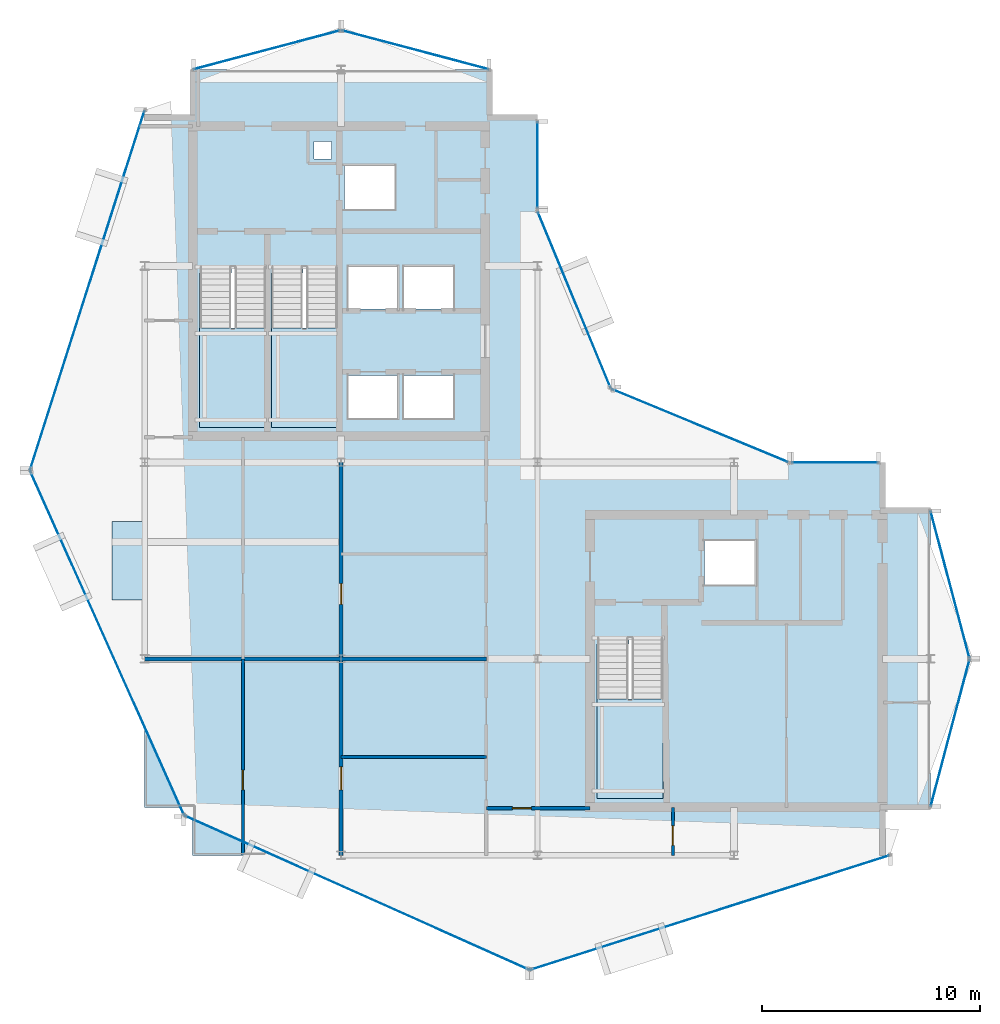
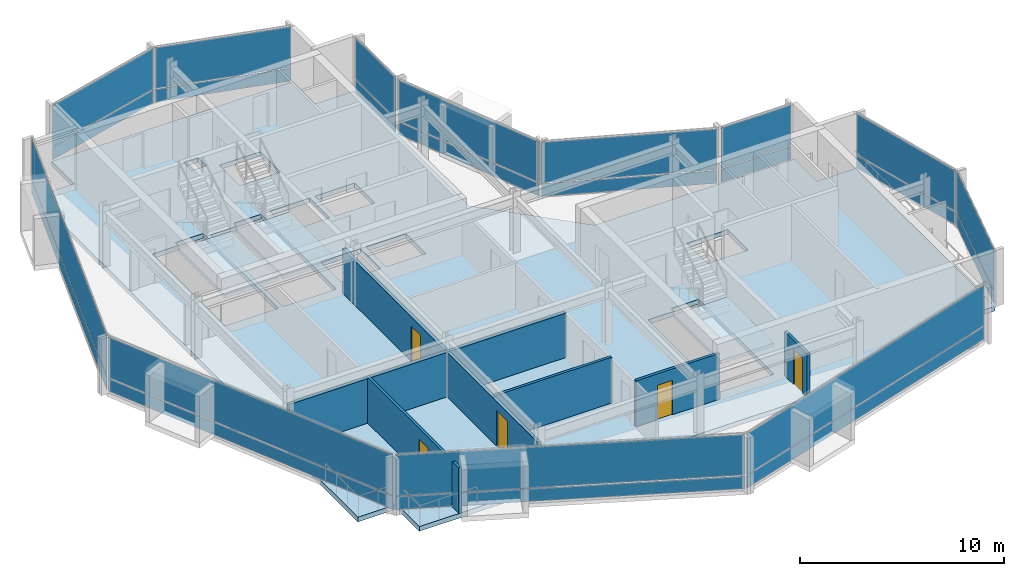
# One storey, part 13 of 19: 24 plates, 6 walls, 5 doors, 5 slabs, 5 openings, 15 elements without a shape of their own.
"""IFC4 building model written with IfcOpenShell, lengths in metres."""

from ifc_helpers import new_model, si_unit, direction, frame, frame_2d, origin, origin_2d, place, context, subcontext, project, spatial, polyline, rectangle, outline, extrude, material, layer, layer_set, type_object, element, fill, aggregate, save


model = new_model("IFC4")

# Units and contexts
model_context = context("Model", 3, precision=1e-05, world=origin(), true_north=direction((0.0, 1.0)))
body_context = subcontext(model_context, "Body", "Model", "MODEL_VIEW")
ifc_project = project(units=[si_unit("LENGTHUNIT", "METRE"), si_unit("AREAUNIT", "SQUARE_METRE"), si_unit("VOLUMEUNIT", "CUBIC_METRE"), si_unit("PLANEANGLEUNIT", "RADIAN"), si_unit("MASSUNIT", "GRAM", prefix="KILO")], contexts=[model_context])

# Site, building, storey
site_placement = place(None, origin())
site = spatial("IfcSite", under=ifc_project, at=site_placement, CompositionType="ELEMENT")
building_placement = place(site_placement, origin())
building = spatial("IfcBuilding", under=site, at=building_placement, Name="Solvaryn Broadcast Tower", CompositionType="ELEMENT")
storey_placement = place(building_placement, frame((0.0, 0.0, 281.5)))
storey = spatial("IfcBuildingStorey", under=building, at=storey_placement, Name="L71", CompositionType="ELEMENT", Elevation=281.5)

# Curtain wall, plates
ifc_material_1 = material(Name="Aluminium and Terracotta Unitised Curtain Wall", Category="masonry")
ifc_layer_1 = layer(ifc_material_1, 0.199951171875)
ifc_layer_set_1 = layer_set([ifc_layer_1], Name="CW-SYS2-LOWMID")
curtain_wall_type = type_object("IfcCurtainWallType", Name="CW-SYS2-LOWMID", PredefinedType="NOTDEFINED", material=ifc_layer_set_1)
curtain_wall_1_placement = place(storey_placement, origin())
curtain_wall_1 = element("IfcCurtainWall", 1, at=curtain_wall_1_placement, inside=storey, type_object=curtain_wall_type, Name="L71 Curtain Wall DR1", PredefinedType="NOTDEFINED")
ifc_material_2 = material(Name="Low-Iron Insulated Vision Glass", Category="glass")
ifc_layer_2 = layer(ifc_material_2, 0.035888671875)
ifc_layer_set_2 = layer_set([ifc_layer_2], Name="CW-PNL-VISION")
plate_type = type_object("IfcPlateType", Name="CW-PNL-VISION", PredefinedType="CURTAIN_PANEL", material=ifc_layer_set_2)
plate_1_placement = place(storey_placement, frame((6.368896484375, 34.892578125, 0.06005859375), z_axis=(0.0, 0.0, 1.0), x_axis=(-0.30361564569, -0.952794594701, 0.0)))
plate_1 = element("IfcPlate", 2, at=plate_1_placement, type_object=plate_type, Name="CWS2 panel 1.1", PredefinedType="CURTAIN_PANEL", context=body_context, shape_type="SweptSolid", body=[
    extrude(rectangle(XDim=17.211181640625, YDim=0.028076171875, at=origin_2d()), origin(), (0.0, 0.0, 1.0), 0.760009765625),
])
plate_2_placement = place(storey_placement, frame((6.368896484375, 34.892578125, 0.8798828125), z_axis=(0.0, 0.0, 1.0), x_axis=(-0.30361564569, -0.952794594701, 0.0)))
plate_2 = element("IfcPlate", 3, at=plate_2_placement, type_object=plate_type, Name="CWS2 panel 1.2", PredefinedType="CURTAIN_PANEL", context=body_context, shape_type="SweptSolid", body=[
    extrude(rectangle(XDim=17.211181640625, YDim=0.028076171875, at=origin_2d()), origin(), (0.0, 0.0, 1.0), 2.429931640625),
])
aggregate(curtain_wall_1, [plate_1, plate_2])

curtain_wall_2_placement = place(storey_placement, origin())
curtain_wall_2 = element("IfcCurtainWall", 4, at=curtain_wall_2_placement, inside=storey, type_object=curtain_wall_type, Name="L71 Curtain Wall DR2", PredefinedType="NOTDEFINED")
plate_3_placement = place(storey_placement, frame((7.277587890625, 18.7265625, 0.06005859375), z_axis=(0.0, 0.0, 1.0), x_axis=(0.408466010682, -0.912773530574, 0.0)))
plate_3 = element("IfcPlate", 5, at=plate_3_placement, type_object=plate_type, Name="CWS2 panel 1.1", PredefinedType="CURTAIN_PANEL", context=body_context, shape_type="SweptSolid", body=[
    extrude(rectangle(XDim=17.210693359375, YDim=0.028076171875, at=origin_2d()), origin(), (0.0, 0.0, 1.0), 0.760009765625),
])
plate_4_placement = place(storey_placement, frame((7.277587890625, 18.7265625, 0.8798828125), z_axis=(0.0, 0.0, 1.0), x_axis=(0.408466010682, -0.912773530574, 0.0)))
plate_4 = element("IfcPlate", 6, at=plate_4_placement, type_object=plate_type, Name="CWS2 panel 1.2", PredefinedType="CURTAIN_PANEL", context=body_context, shape_type="SweptSolid", body=[
    extrude(rectangle(XDim=17.210693359375, YDim=0.028076171875, at=origin_2d()), origin(), (0.0, 0.0, 1.0), 2.429931640625),
])
aggregate(curtain_wall_2, [plate_3, plate_4])

curtain_wall_3_placement = place(storey_placement, origin())
curtain_wall_3 = element("IfcCurtainWall", 7, at=curtain_wall_3_placement, inside=storey, type_object=curtain_wall_type, Name="L71 Curtain Wall DR3", PredefinedType="NOTDEFINED")
plate_5_placement = place(storey_placement, frame((18.7265625, 7.277587890625, 0.06005859375), z_axis=(0.0, 0.0, 1.0), x_axis=(0.912773530574, -0.408466010682, 0.0)))
plate_5 = element("IfcPlate", 8, at=plate_5_placement, type_object=plate_type, Name="CWS2 panel 1.1", PredefinedType="CURTAIN_PANEL", context=body_context, shape_type="SweptSolid", body=[
    extrude(rectangle(XDim=17.210693359375, YDim=0.028076171875, at=origin_2d()), origin(), (0.0, 0.0, 1.0), 0.760009765625),
])
plate_6_placement = place(storey_placement, frame((18.7265625, 7.277587890625, 0.8798828125), z_axis=(0.0, 0.0, 1.0), x_axis=(0.912773530574, -0.408466010682, 0.0)))
plate_6 = element("IfcPlate", 9, at=plate_6_placement, type_object=plate_type, Name="CWS2 panel 1.2", PredefinedType="CURTAIN_PANEL", context=body_context, shape_type="SweptSolid", body=[
    extrude(rectangle(XDim=17.210693359375, YDim=0.028076171875, at=origin_2d()), origin(), (0.0, 0.0, 1.0), 2.429931640625),
])
aggregate(curtain_wall_3, [plate_5, plate_6])

curtain_wall_4_placement = place(storey_placement, origin())
curtain_wall_4 = element("IfcCurtainWall", 10, at=curtain_wall_4_placement, inside=storey, type_object=curtain_wall_type, Name="L71 Curtain Wall DR4", PredefinedType="NOTDEFINED")
plate_7_placement = place(storey_placement, frame((34.892578125, 6.368896484375, 0.06005859375), z_axis=(0.0, 0.0, 1.0), x_axis=(0.952794594701, 0.30361564569, 0.0)))
plate_7 = element("IfcPlate", 11, at=plate_7_placement, type_object=plate_type, Name="CWS2 panel 1.1", PredefinedType="CURTAIN_PANEL", context=body_context, shape_type="SweptSolid", body=[
    extrude(rectangle(XDim=17.211181640625, YDim=0.028076171875, at=origin_2d()), origin(), (0.0, 0.0, 1.0), 0.760009765625),
])
plate_8_placement = place(storey_placement, frame((34.892578125, 6.368896484375, 0.8798828125), z_axis=(0.0, 0.0, 1.0), x_axis=(0.952794594701, 0.30361564569, 0.0)))
plate_8 = element("IfcPlate", 12, at=plate_8_placement, type_object=plate_type, Name="CWS2 panel 1.2", PredefinedType="CURTAIN_PANEL", context=body_context, shape_type="SweptSolid", body=[
    extrude(rectangle(XDim=17.211181640625, YDim=0.028076171875, at=origin_2d()), origin(), (0.0, 0.0, 1.0), 2.429931640625),
])
aggregate(curtain_wall_4, [plate_7, plate_8])

curtain_wall_5_placement = place(storey_placement, origin())
curtain_wall_5 = element("IfcCurtainWall", 13, at=curtain_wall_5_placement, inside=storey, type_object=curtain_wall_type, Name="L71 Curtain Wall IV", PredefinedType="NOTDEFINED")
plate_9_placement = place(storey_placement, frame((27.0, 40.625, 0.06005859375), z_axis=(0.0, 0.0, 1.0), x_axis=(0.0, -1.0, 0.0)))
plate_9 = element("IfcPlate", 14, at=plate_9_placement, type_object=plate_type, Name="CWS2 panel 1.1", PredefinedType="CURTAIN_PANEL", context=body_context, shape_type="SweptSolid", body=[
    extrude(rectangle(XDim=3.929931640625, YDim=0.028076171875, at=origin_2d()), origin(), (0.0, 0.0, 1.0), 0.760009765625),
])
plate_10_placement = place(storey_placement, frame((27.0, 40.625, 0.8798828125), z_axis=(0.0, 0.0, 1.0), x_axis=(0.0, -1.0, 0.0)))
plate_10 = element("IfcPlate", 15, at=plate_10_placement, type_object=plate_type, Name="CWS2 panel 1.2", PredefinedType="CURTAIN_PANEL", context=body_context, shape_type="SweptSolid", body=[
    extrude(rectangle(XDim=3.929931640625, YDim=0.028076171875, at=origin_2d()), origin(), (0.0, 0.0, 1.0), 2.429931640625),
])
aggregate(curtain_wall_5, [plate_9, plate_10])

curtain_wall_6_placement = place(storey_placement, origin())
curtain_wall_6 = element("IfcCurtainWall", 16, at=curtain_wall_6_placement, inside=storey, type_object=curtain_wall_type, Name="L71 Curtain Wall CN1", PredefinedType="NOTDEFINED")
plate_11_placement = place(storey_placement, frame((34.43408203125, 28.68408203125, 0.06005859375), z_axis=(0.0, 0.0, 1.0), x_axis=(-0.923894983957, 0.382646127145, 0.0)))
plate_11 = element("IfcPlate", 17, at=plate_11_placement, type_object=plate_type, Name="CWS2 panel 1.1", PredefinedType="CURTAIN_PANEL", context=body_context, shape_type="SweptSolid", body=[
    extrude(rectangle(XDim=8.681884765625, YDim=0.028076171875, at=origin_2d()), origin(), (0.0, 0.0, 1.0), 0.760009765625),
])
plate_12_placement = place(storey_placement, frame((34.43408203125, 28.68408203125, 0.8798828125), z_axis=(0.0, 0.0, 1.0), x_axis=(-0.923894983957, 0.382646127145, 0.0)))
plate_12 = element("IfcPlate", 18, at=plate_12_placement, type_object=plate_type, Name="CWS2 panel 1.2", PredefinedType="CURTAIN_PANEL", context=body_context, shape_type="SweptSolid", body=[
    extrude(rectangle(XDim=8.681884765625, YDim=0.028076171875, at=origin_2d()), origin(), (0.0, 0.0, 1.0), 2.429931640625),
])
aggregate(curtain_wall_6, [plate_11, plate_12])

curtain_wall_7_placement = place(storey_placement, origin())
curtain_wall_7 = element("IfcCurtainWall", 19, at=curtain_wall_7_placement, inside=storey, type_object=curtain_wall_type, Name="L71 Curtain Wall CN2", PredefinedType="NOTDEFINED")
plate_13_placement = place(storey_placement, frame((28.68408203125, 34.43408203125, 0.06005859375), z_axis=(0.0, 0.0, 1.0), x_axis=(-0.382646127145, 0.923894983957, 0.0)))
plate_13 = element("IfcPlate", 20, at=plate_13_placement, type_object=plate_type, Name="CWS2 panel 1.1", PredefinedType="CURTAIN_PANEL", context=body_context, shape_type="SweptSolid", body=[
    extrude(rectangle(XDim=8.681884765625, YDim=0.028076171875, at=origin_2d()), origin(), (0.0, 0.0, 1.0), 0.760009765625),
])
plate_14_placement = place(storey_placement, frame((28.68408203125, 34.43408203125, 0.8798828125), z_axis=(0.0, 0.0, 1.0), x_axis=(-0.382646127145, 0.923894983957, 0.0)))
plate_14 = element("IfcPlate", 21, at=plate_14_placement, type_object=plate_type, Name="CWS2 panel 1.2", PredefinedType="CURTAIN_PANEL", context=body_context, shape_type="SweptSolid", body=[
    extrude(rectangle(XDim=8.681884765625, YDim=0.028076171875, at=origin_2d()), origin(), (0.0, 0.0, 1.0), 2.429931640625),
])
aggregate(curtain_wall_7, [plate_13, plate_14])

curtain_wall_8_placement = place(storey_placement, origin())
curtain_wall_8 = element("IfcCurtainWall", 22, at=curtain_wall_8_placement, inside=storey, type_object=curtain_wall_type, Name="L71 Curtain Wall NT1", PredefinedType="NOTDEFINED")
plate_15_placement = place(storey_placement, frame((21.39990234375, 45.89990234375, 0.06005859375), z_axis=(0.0, 0.0, 1.0), x_axis=(-0.966705227863, 0.25589256031, 0.0)))
plate_15 = element("IfcPlate", 23, at=plate_15_placement, type_object=plate_type, Name="CWS2 panel 1.1", PredefinedType="CURTAIN_PANEL", context=body_context, shape_type="SweptSolid", body=[
    extrude(rectangle(XDim=6.914306640625, YDim=0.028076171875, at=origin_2d()), origin(), (0.0, 0.0, 1.0), 0.760009765625),
])
plate_16_placement = place(storey_placement, frame((21.39990234375, 45.89990234375, 0.8798828125), z_axis=(0.0, 0.0, 1.0), x_axis=(-0.966705227863, 0.25589256031, 0.0)))
plate_16 = element("IfcPlate", 24, at=plate_16_placement, type_object=plate_type, Name="CWS2 panel 1.2", PredefinedType="CURTAIN_PANEL", context=body_context, shape_type="SweptSolid", body=[
    extrude(rectangle(XDim=6.914306640625, YDim=0.028076171875, at=origin_2d()), origin(), (0.0, 0.0, 1.0), 2.429931640625),
])
aggregate(curtain_wall_8, [plate_15, plate_16])

curtain_wall_9_placement = place(storey_placement, origin())
curtain_wall_9 = element("IfcCurtainWall", 25, at=curtain_wall_9_placement, inside=storey, type_object=curtain_wall_type, Name="L71 Curtain Wall NT2", PredefinedType="NOTDEFINED")
plate_17_placement = place(storey_placement, frame((14.60009765625, 45.89990234375, 0.06005859375), z_axis=(0.0, 0.0, 1.0), x_axis=(-0.966705227863, -0.25589256031, 0.0)))
plate_17 = element("IfcPlate", 26, at=plate_17_placement, type_object=plate_type, Name="CWS2 panel 1.1", PredefinedType="CURTAIN_PANEL", context=body_context, shape_type="SweptSolid", body=[
    extrude(rectangle(XDim=6.914306640625, YDim=0.028076171875, at=origin_2d()), origin(), (0.0, 0.0, 1.0), 0.760009765625),
])
plate_18_placement = place(storey_placement, frame((14.60009765625, 45.89990234375, 0.8798828125), z_axis=(0.0, 0.0, 1.0), x_axis=(-0.966705227863, -0.25589256031, 0.0)))
plate_18 = element("IfcPlate", 27, at=plate_18_placement, type_object=plate_type, Name="CWS2 panel 1.2", PredefinedType="CURTAIN_PANEL", context=body_context, shape_type="SweptSolid", body=[
    extrude(rectangle(XDim=6.914306640625, YDim=0.028076171875, at=origin_2d()), origin(), (0.0, 0.0, 1.0), 2.429931640625),
])
aggregate(curtain_wall_9, [plate_17, plate_18])

curtain_wall_10_placement = place(storey_placement, origin())
curtain_wall_10 = element("IfcCurtainWall", 28, at=curtain_wall_10_placement, inside=storey, type_object=curtain_wall_type, Name="L71 Curtain Wall ET1", PredefinedType="NOTDEFINED")
plate_19_placement = place(storey_placement, frame((45.89990234375, 21.39990234375, 0.06005859375), z_axis=(0.0, 0.0, 1.0), x_axis=(0.25589256031, -0.966705227863, 0.0)))
plate_19 = element("IfcPlate", 29, at=plate_19_placement, type_object=plate_type, Name="CWS2 panel 1.1", PredefinedType="CURTAIN_PANEL", context=body_context, shape_type="SweptSolid", body=[
    extrude(rectangle(XDim=6.914306640625, YDim=0.028076171875, at=origin_2d()), origin(), (0.0, 0.0, 1.0), 0.760009765625),
])
plate_20_placement = place(storey_placement, frame((45.89990234375, 21.39990234375, 0.8798828125), z_axis=(0.0, 0.0, 1.0), x_axis=(0.25589256031, -0.966705227863, 0.0)))
plate_20 = element("IfcPlate", 30, at=plate_20_placement, type_object=plate_type, Name="CWS2 panel 1.2", PredefinedType="CURTAIN_PANEL", context=body_context, shape_type="SweptSolid", body=[
    extrude(rectangle(XDim=6.914306640625, YDim=0.028076171875, at=origin_2d()), origin(), (0.0, 0.0, 1.0), 2.429931640625),
])
aggregate(curtain_wall_10, [plate_19, plate_20])

curtain_wall_11_placement = place(storey_placement, origin())
curtain_wall_11 = element("IfcCurtainWall", 31, at=curtain_wall_11_placement, inside=storey, type_object=curtain_wall_type, Name="L71 Curtain Wall ET2", PredefinedType="NOTDEFINED")
plate_21_placement = place(storey_placement, frame((45.89990234375, 14.60009765625, 0.06005859375), z_axis=(0.0, 0.0, 1.0), x_axis=(-0.25589256031, -0.966705227863, 0.0)))
plate_21 = element("IfcPlate", 32, at=plate_21_placement, type_object=plate_type, Name="CWS2 panel 1.1", PredefinedType="CURTAIN_PANEL", context=body_context, shape_type="SweptSolid", body=[
    extrude(rectangle(XDim=6.914306640625, YDim=0.028076171875, at=origin_2d()), origin(), (0.0, 0.0, 1.0), 0.760009765625),
])
plate_22_placement = place(storey_placement, frame((45.89990234375, 14.60009765625, 0.8798828125), z_axis=(0.0, 0.0, 1.0), x_axis=(-0.25589256031, -0.966705227863, 0.0)))
plate_22 = element("IfcPlate", 33, at=plate_22_placement, type_object=plate_type, Name="CWS2 panel 1.2", PredefinedType="CURTAIN_PANEL", context=body_context, shape_type="SweptSolid", body=[
    extrude(rectangle(XDim=6.914306640625, YDim=0.028076171875, at=origin_2d()), origin(), (0.0, 0.0, 1.0), 2.429931640625),
])
aggregate(curtain_wall_11, [plate_21, plate_22])

curtain_wall_12_placement = place(storey_placement, origin())
curtain_wall_12 = element("IfcCurtainWall", 34, at=curtain_wall_12_placement, inside=storey, type_object=curtain_wall_type, Name="L71 Curtain Wall IH", PredefinedType="NOTDEFINED")
plate_23_placement = place(storey_placement, frame((40.625, 27.0, 0.06005859375), z_axis=(0.0, 0.0, 1.0), x_axis=(1.0, 0.0, 0.0)))
plate_23 = element("IfcPlate", 35, at=plate_23_placement, type_object=plate_type, Name="CWS2 panel 1.1", PredefinedType="CURTAIN_PANEL", context=body_context, shape_type="SweptSolid", body=[
    extrude(rectangle(XDim=3.929931640625, YDim=0.028076171875, at=origin_2d()), origin(), (0.0, 0.0, 1.0), 0.760009765625),
])
plate_24_placement = place(storey_placement, frame((40.625, 27.0, 0.8798828125), z_axis=(0.0, 0.0, 1.0), x_axis=(1.0, 0.0, 0.0)))
plate_24 = element("IfcPlate", 36, at=plate_24_placement, type_object=plate_type, Name="CWS2 panel 1.2", PredefinedType="CURTAIN_PANEL", context=body_context, shape_type="SweptSolid", body=[
    extrude(rectangle(XDim=3.929931640625, YDim=0.028076171875, at=origin_2d()), origin(), (0.0, 0.0, 1.0), 2.429931640625),
])
aggregate(curtain_wall_12, [plate_23, plate_24])

# Slab
ifc_material_3 = material(Name="Concrete f'c 60 MPa", Category="concrete")
ifc_layer_3 = layer(ifc_material_3, 0.2099609375)
ifc_layer_set_3 = layer_set([ifc_layer_3], Name="SL-BAYBOX-210")
slab_type_1 = type_object("IfcSlabType", Name="SL-BAYBOX-210", PredefinedType="FLOOR", material=ifc_layer_set_3)
slab_1_placement = place(storey_placement, frame((0.0, 0.0, -0.2099609375)))
element("IfcSlab", 37, at=slab_1_placement, inside=storey, type_object=slab_type_1, Name="L71 Projecting Bay-Box Slab 1", PredefinedType="FLOOR", context=body_context, shape_type="SweptSolid", body=[
    extrude(outline(polyline([(7.5, 20.699951171875), (9.0, 20.699951171875), (9.0, 24.300048828125), (7.5, 24.300048828125), (7.5, 20.699951171875)])), origin(), (0.0, 0.0, 1.0), 0.2099609375),
])

# Stair, slab
ifc_material_4 = material(Name="Concrete f'c 60 MPa", Category="concrete")
stair_type = type_object("IfcStairType", Name="ST-CORE", PredefinedType="HALF_TURN_STAIR", material=ifc_material_4)
stair_1_placement = place(storey_placement, origin())
stair_1 = element("IfcStair", 38, at=stair_1_placement, inside=storey, type_object=stair_type, Name="L71 ST1", PredefinedType="HALF_TURN_STAIR")
ifc_material_5 = material(Name="Concrete f'c 60 MPa", Category="concrete")
ifc_layer_4 = layer(ifc_material_5, 0.199951171875)
ifc_layer_set_4 = layer_set([ifc_layer_4], Name="SL-LANDING-200")
slab_type_2 = type_object("IfcSlabType", Name="SL-LANDING-200", PredefinedType="LANDING", material=ifc_layer_set_4)
slab_2_placement = place(storey_placement, frame((0.0, 0.0, 1.64990234375)))
slab_2 = element("IfcSlab", 39, at=slab_2_placement, type_object=slab_type_2, Name="ST1 landing 1", PredefinedType="LANDING", context=body_context, shape_type="SweptSolid", body=[
    extrude(outline(polyline([(11.52001953125, 33.159912109375), (11.52001953125, 28.60009765625), (14.550048828125, 28.60009765625), (14.550048828125, 33.159912109375), (11.52001953125, 33.159912109375)])), origin(), (0.0, 0.0, 1.0), 0.2001953125),
])
aggregate(stair_1, [slab_2])

stair_2_placement = place(storey_placement, origin())
stair_2 = element("IfcStair", 40, at=stair_2_placement, inside=storey, type_object=stair_type, Name="L71 ST2", PredefinedType="HALF_TURN_STAIR")
slab_3_placement = place(storey_placement, frame((0.0, 0.0, 1.64990234375)))
slab_3 = element("IfcSlab", 41, at=slab_3_placement, type_object=slab_type_2, Name="ST2 landing 1", PredefinedType="LANDING", context=body_context, shape_type="SweptSolid", body=[
    extrude(outline(polyline([(14.800048828125, 33.159912109375), (14.800048828125, 28.60009765625), (17.830078125, 28.60009765625), (17.830078125, 33.159912109375), (14.800048828125, 33.159912109375)])), origin(), (0.0, 0.0, 1.0), 0.2001953125),
])
aggregate(stair_2, [slab_3])

stair_3_placement = place(storey_placement, origin())
stair_3 = element("IfcStair", 42, at=stair_3_placement, inside=storey, type_object=stair_type, Name="L71 ST3", PredefinedType="HALF_TURN_STAIR")
slab_4_placement = place(storey_placement, frame((0.0, 0.0, 1.64990234375)))
slab_4 = element("IfcSlab", 43, at=slab_4_placement, type_object=slab_type_2, Name="ST3 landing 1", PredefinedType="LANDING", context=body_context, shape_type="SweptSolid", body=[
    extrude(outline(polyline([(29.719970703125, 16.159912109375), (29.719970703125, 11.60009765625), (32.75, 11.60009765625), (32.75, 16.159912109375), (29.719970703125, 16.159912109375)])), origin(), (0.0, 0.0, 1.0), 0.2001953125),
])
aggregate(stair_3, [slab_4])

# Slab
ifc_material_6 = material(Name="Concrete f'c 60 MPa", Category="concrete")
ifc_layer_5 = layer(ifc_material_6, 0.280029296875)
ifc_layer_set_5 = layer_set([ifc_layer_5], Name="SL-TWR-280")
slab_type_3 = type_object("IfcSlabType", Name="SL-TWR-280", PredefinedType="FLOOR", material=ifc_layer_set_5)
slab_5_placement = place(storey_placement, frame((0.0, 0.0, -0.280029296875)))
element("IfcSlab", 44, at=slab_5_placement, inside=storey, type_object=slab_type_3, Name="L71 Structural Floor Slab", PredefinedType="FLOOR", context=body_context, shape_type="SweptSolid", body=[
    extrude(outline(polyline([(11.199951171875, 9.0), (42.800048828125, 9.0), (42.800048828125, 11.199951171875), (45.0, 11.199951171875), (45.0, 24.800048828125), (42.800048828125, 24.800048828125), (42.800048828125, 27.0), (31.5, 27.0), (27.0, 31.5), (27.0, 42.800048828125), (24.800048828125, 42.800048828125), (24.800048828125, 45.0), (11.199951171875, 45.0), (11.199951171875, 42.800048828125), (9.0, 42.800048828125), (9.0, 11.199951171875), (11.199951171875, 11.199951171875), (11.199951171875, 9.0)]), holes=[polyline([(11.52001953125, 28.60009765625), (14.550048828125, 28.60009765625), (14.550048828125, 35.9599609375), (12.97998046875, 35.9599609375), (12.97998046875, 35.679931640625), (11.52001953125, 35.679931640625), (11.52001953125, 28.60009765625)]), polyline([(14.800048828125, 28.60009765625), (17.830078125, 28.60009765625), (17.830078125, 35.9599609375), (16.260009765625, 35.9599609375), (16.260009765625, 35.679931640625), (14.800048828125, 35.679931640625), (14.800048828125, 28.60009765625)]), polyline([(29.719970703125, 11.60009765625), (32.75, 11.60009765625), (32.75, 18.9599609375), (31.179931640625, 18.9599609375), (31.179931640625, 18.679931640625), (29.719970703125, 18.679931640625), (29.719970703125, 11.60009765625)]), polyline([(18.14990234375, 38.60009765625), (20.449951171875, 38.60009765625), (20.449951171875, 40.60009765625), (18.14990234375, 40.60009765625), (18.14990234375, 38.60009765625)]), polyline([(18.324951171875, 29.02490234375), (20.574951171875, 29.02490234375), (20.574951171875, 30.97509765625), (18.324951171875, 30.97509765625), (18.324951171875, 29.02490234375)]), polyline([(20.875, 29.02490234375), (23.125, 29.02490234375), (23.125, 30.97509765625), (20.875, 30.97509765625), (20.875, 29.02490234375)]), polyline([(18.324951171875, 34.02490234375), (20.574951171875, 34.02490234375), (20.574951171875, 35.97509765625), (18.324951171875, 35.97509765625), (18.324951171875, 34.02490234375)]), polyline([(20.875, 34.02490234375), (23.125, 34.02490234375), (23.125, 35.97509765625), (20.875, 35.97509765625), (20.875, 34.02490234375)]), polyline([(34.64990234375, 21.39990234375), (36.949951171875, 21.39990234375), (36.949951171875, 23.39990234375), (34.64990234375, 23.39990234375), (34.64990234375, 21.39990234375)]), polyline([(16.75, 40.89990234375), (17.550048828125, 40.89990234375), (17.550048828125, 41.699951171875), (16.75, 41.699951171875), (16.75, 40.89990234375)])]), origin(), (0.0, 0.0, 1.0), 0.280029296875),
])

# Wall, opening, door
ifc_material_7 = material(Name="Metal-Stud Service Core Partition")
ifc_layer_6 = layer(ifc_material_7, 0.14990234375)
ifc_layer_set_6 = layer_set([ifc_layer_6], Name="IW-PART-150")
wall_type_1 = type_object("IfcWallType", Name="IW-PART-150", PredefinedType="PARTITIONING", material=ifc_layer_set_6)
wall_1_placement = place(storey_placement, frame((13.5, 9.0, 0.0), z_axis=(0.0, 0.0, 1.0), x_axis=(0.0, 1.0, 0.0)))
wall_1 = element("IfcWall", 45, at=wall_1_placement, inside=storey, type_object=wall_type_1, Name="L71 Interior Partition IW-L71-SW-C2", PredefinedType="PARTITIONING", context=body_context, shape_type="SweptSolid", body=[
    extrude(rectangle(XDim=9.0, YDim=0.14990234375, at=frame_2d((4.5, 0.0))), origin(), (0.0, 0.0, 1.0), 2.739013671875),
])
opening_1_placement = place(wall_1_placement, frame((3.0, 0.0, 0.0)))
opening_1 = element("IfcOpeningElement", 46, at=opening_1_placement, cuts=wall_1, Name="Opening FD60C", PredefinedType="OPENING", context=body_context, shape_type="SweptSolid", body=[
    extrude(rectangle(XDim=0.89990234375, YDim=2.10009765625, at=frame_2d((0.449951171875, 1.050048828125))), frame((0.0, 0.0849609375, 0.0), z_axis=(0.0, -1.0, 0.0), x_axis=(1.0, 0.0, 0.0)), (0.0, 0.0, 1.0), 0.169921875),
])
ifc_material_8 = material(Name="Flush Acoustic Steel and Timber Door Assembly", Category="steel")
door_type_1 = type_object("IfcDoorType", Name="FD60-SERV-900X2100", OperationType="NOTDEFINED", PredefinedType="DOOR", material=ifc_material_8)
door_1_placement = place(opening_1_placement, origin())
door_1 = element("IfcDoor", 47, at=door_1_placement, inside=storey, type_object=door_type_1, Name="L71 Door DR-L71-SWQ-8", OperationType="SINGLE_SWING_LEFT", OverallHeight=2.10009765625, OverallWidth=0.89990234375, PredefinedType="DOOR", context=body_context, shape_type="SweptSolid", body=[
    extrude(rectangle(XDim=0.89990234375, YDim=2.10009765625, at=frame_2d((0.449951171875, 1.050048828125))), frame((0.0, 0.02490234375, 0.0), z_axis=(0.0, -1.0, 0.0), x_axis=(1.0, 0.0, 0.0)), (0.0, 0.0, 1.0), 0.050048828125),
])
fill(opening_1, door_1)

# Wall
wall_2_placement = place(storey_placement, frame((18.0, 13.5, 0.0), z_axis=(0.0, 0.0, 1.0), x_axis=(1.0, 0.0, 0.0)))
element("IfcWall", 48, at=wall_2_placement, inside=storey, type_object=wall_type_1, Name="L71 Interior Partition IW-L71-SW-C4", PredefinedType="PARTITIONING", context=body_context, shape_type="SweptSolid", body=[
    extrude(rectangle(XDim=6.64990234375, YDim=0.14990234375, at=frame_2d((3.324951171875, 0.0))), origin(), (0.0, 0.0, 1.0), 2.741943359375),
])

# Wall, opening, door
wall_3_placement = place(storey_placement, frame((33.199951171875, 9.0, 0.0), z_axis=(0.0, 0.0, 1.0), x_axis=(0.0, 1.0, 0.0)))
wall_3 = element("IfcWall", 49, at=wall_3_placement, inside=storey, type_object=wall_type_1, Name="L71 Interior Partition IW-L71-SC-V", PredefinedType="PARTITIONING", context=body_context, shape_type="SweptSolid", body=[
    extrude(rectangle(XDim=2.199951171875, YDim=0.14990234375, at=frame_2d((1.10009765625, 0.0))), origin(), (0.0, 0.0, 1.0), 2.656982421875),
])
opening_2_placement = place(wall_3_placement, frame((0.449951171875, 0.0, 0.0)))
opening_2 = element("IfcOpeningElement", 50, at=opening_2_placement, cuts=wall_3, Name="Opening FD60C", PredefinedType="OPENING", context=body_context, shape_type="SweptSolid", body=[
    extrude(rectangle(XDim=0.89990234375, YDim=2.10009765625, at=frame_2d((0.449951171875, 1.050048828125))), frame((0.0, 0.0849609375, 0.0), z_axis=(0.0, -1.0, 0.0), x_axis=(1.0, 0.0, 0.0)), (0.0, 0.0, 1.0), 0.169921875),
])
door_2_placement = place(opening_2_placement, origin())
door_2 = element("IfcDoor", 51, at=door_2_placement, inside=storey, type_object=door_type_1, Name="L71 Door DR-L71-SC1", OperationType="SINGLE_SWING_LEFT", OverallHeight=2.10009765625, OverallWidth=0.89990234375, PredefinedType="DOOR", context=body_context, shape_type="SweptSolid", body=[
    extrude(rectangle(XDim=0.89990234375, YDim=2.10009765625, at=frame_2d((0.449951171875, 1.050048828125))), frame((0.0, 0.02490234375, 0.0), z_axis=(0.0, -1.0, 0.0), x_axis=(1.0, 0.0, 0.0)), (0.0, 0.0, 1.0), 0.050048828125),
])
fill(opening_2, door_2)

ifc_material_9 = material(Name="Metal-Stud Gypsum Office Partition")
ifc_layer_7 = layer(ifc_material_9, 0.159912109375)
ifc_layer_set_7 = layer_set([ifc_layer_7], Name="IW-PART-160")
wall_type_2 = type_object("IfcWallType", Name="IW-PART-160", PredefinedType="PARTITIONING", material=ifc_layer_set_7)
wall_4_placement = place(storey_placement, frame((24.64990234375, 11.14990234375, 0.0), z_axis=(0.0, 0.0, 1.0), x_axis=(1.0, 0.0, 0.0)))
wall_4 = element("IfcWall", 52, at=wall_4_placement, inside=storey, type_object=wall_type_2, Name="L71 Interior Partition IW-L71-SC-N", PredefinedType="PARTITIONING", context=body_context, shape_type="SweptSolid", body=[
    extrude(rectangle(XDim=4.75, YDim=0.159912109375, at=frame_2d((2.375, 0.0))), origin(), (0.0, 0.0, 1.0), 2.741943359375),
])
opening_3_placement = place(wall_4_placement, frame((1.199951171875, 0.0, 0.0)))
opening_3 = element("IfcOpeningElement", 53, at=opening_3_placement, cuts=wall_4, Name="Opening ID07", PredefinedType="OPENING", context=body_context, shape_type="SweptSolid", body=[
    extrude(rectangle(XDim=0.860107421875, YDim=2.050048828125, at=frame_2d((0.43017578125, 1.02490234375))), frame((0.0, 0.090087890625, 0.0), z_axis=(0.0, -1.0, 0.0), x_axis=(1.0, 0.0, 0.0)), (0.0, 0.0, 1.0), 0.179931640625),
])
ifc_material_10 = material(Name="Flush Acoustic Steel and Timber Door Assembly", Category="steel")
door_type_2 = type_object("IfcDoorType", Name="ID-07-860X2050", OperationType="NOTDEFINED", PredefinedType="DOOR", material=ifc_material_10)
door_3_placement = place(opening_3_placement, origin())
door_3 = element("IfcDoor", 54, at=door_3_placement, inside=storey, type_object=door_type_2, Name="L71 Door DR-L71-SC0", OperationType="SINGLE_SWING_RIGHT", OverallHeight=2.050048828125, OverallWidth=0.860107421875, PredefinedType="DOOR", context=body_context, shape_type="SweptSolid", body=[
    extrude(rectangle(XDim=0.860107421875, YDim=2.050048828125, at=frame_2d((0.43017578125, 1.02490234375))), frame((0.0, 0.02490234375, 0.0), z_axis=(0.0, -1.0, 0.0), x_axis=(1.0, 0.0, 0.0)), (0.0, 0.0, 1.0), 0.050048828125),
])
fill(opening_3, door_3)

# Wall
ifc_material_11 = material(Name="Acoustic Metal-Stud Gypsum Partition")
ifc_layer_8 = layer(ifc_material_11, 0.179931640625)
ifc_layer_set_8 = layer_set([ifc_layer_8], Name="IW-PART-180")
wall_type_3 = type_object("IfcWallType", Name="IW-PART-180", PredefinedType="PARTITIONING", material=ifc_layer_set_8)
wall_5_placement = place(storey_placement, frame((9.0, 18.0, 0.0), z_axis=(0.0, 0.0, 1.0), x_axis=(1.0, 0.0, 0.0)))
element("IfcWall", 55, at=wall_5_placement, inside=storey, type_object=wall_type_3, Name="L71 Interior Partition IW-L71-SW-CH", PredefinedType="PARTITIONING", context=body_context, shape_type="SweptSolid", body=[
    extrude(rectangle(XDim=15.64990234375, YDim=0.179931640625, at=frame_2d((7.824951171875, 0.0))), origin(), (0.0, 0.0, 1.0), 2.656982421875),
])

# Wall, openings, doors
wall_6_placement = place(storey_placement, frame((18.0, 9.0, 0.0), z_axis=(0.0, 0.0, 1.0), x_axis=(0.0, 1.0, 0.0)))
wall_6 = element("IfcWall", 56, at=wall_6_placement, inside=storey, type_object=wall_type_3, Name="L71 Interior Partition IW-L71-SW-CV", PredefinedType="PARTITIONING", context=body_context, shape_type="SweptSolid", body=[
    extrude(rectangle(XDim=19.1298828125, YDim=0.179931640625, at=frame_2d((9.56494140625, 0.0))), origin(), (0.0, 0.0, 1.0), 2.656982421875),
])
opening_4_placement = place(wall_6_placement, frame((11.5, 0.0, 0.0)))
opening_4 = element("IfcOpeningElement", 57, at=opening_4_placement, cuts=wall_6, Name="Opening ID01", PredefinedType="OPENING", context=body_context, shape_type="SweptSolid", body=[
    extrude(rectangle(XDim=0.949951171875, YDim=2.10009765625, at=frame_2d((0.47509765625, 1.050048828125))), frame((0.0, 0.099853515625, 0.0), z_axis=(0.0, -1.0, 0.0), x_axis=(1.0, 0.0, 0.0)), (0.0, 0.0, 1.0), 0.199951171875),
])
opening_5_placement = place(wall_6_placement, frame((3.0, 0.0, 0.0)))
opening_5 = element("IfcOpeningElement", 58, at=opening_5_placement, cuts=wall_6, Name="Opening ID03", PredefinedType="OPENING", context=body_context, shape_type="SweptSolid", body=[
    extrude(rectangle(XDim=1.050048828125, YDim=2.14990234375, at=frame_2d((0.52490234375, 1.074951171875))), frame((0.0, 0.099853515625, 0.0), z_axis=(0.0, -1.0, 0.0), x_axis=(1.0, 0.0, 0.0)), (0.0, 0.0, 1.0), 0.199951171875),
])
ifc_material_12 = material(Name="Flush Acoustic Steel and Timber Door Assembly", Category="steel")
door_type_3 = type_object("IfcDoorType", Name="ID-01-950X2100", OperationType="NOTDEFINED", PredefinedType="DOOR", material=ifc_material_12)
door_4_placement = place(opening_4_placement, origin())
door_4 = element("IfcDoor", 59, at=door_4_placement, inside=storey, type_object=door_type_3, Name="L71 Door DR-L71-SWQ-5", OperationType="SINGLE_SWING_RIGHT", OverallHeight=2.10009765625, OverallWidth=0.949951171875, PredefinedType="DOOR", context=body_context, shape_type="SweptSolid", body=[
    extrude(rectangle(XDim=0.949951171875, YDim=2.10009765625, at=frame_2d((0.47509765625, 1.050048828125))), frame((0.0, 0.02490234375, 0.0), z_axis=(0.0, -1.0, 0.0), x_axis=(1.0, 0.0, 0.0)), (0.0, 0.0, 1.0), 0.050048828125),
])
fill(opening_4, door_4)
ifc_material_13 = material(Name="Flush Acoustic Steel and Timber Door Assembly", Category="steel")
door_type_4 = type_object("IfcDoorType", Name="ID-03-1050X2150", OperationType="NOTDEFINED", PredefinedType="DOOR", material=ifc_material_13)
door_5_placement = place(opening_5_placement, origin())
door_5 = element("IfcDoor", 60, at=door_5_placement, inside=storey, type_object=door_type_4, Name="L71 Door DR-L71-SWQ-7", OperationType="SINGLE_SWING_RIGHT", OverallHeight=2.14990234375, OverallWidth=1.050048828125, PredefinedType="DOOR", context=body_context, shape_type="SweptSolid", body=[
    extrude(rectangle(XDim=1.050048828125, YDim=2.14990234375, at=frame_2d((0.52490234375, 1.074951171875))), frame((0.0, 0.02490234375, 0.0), z_axis=(0.0, -1.0, 0.0), x_axis=(1.0, 0.0, 0.0)), (0.0, 0.0, 1.0), 0.050048828125),
])
fill(opening_5, door_5)

save(model, "model.ifc")
